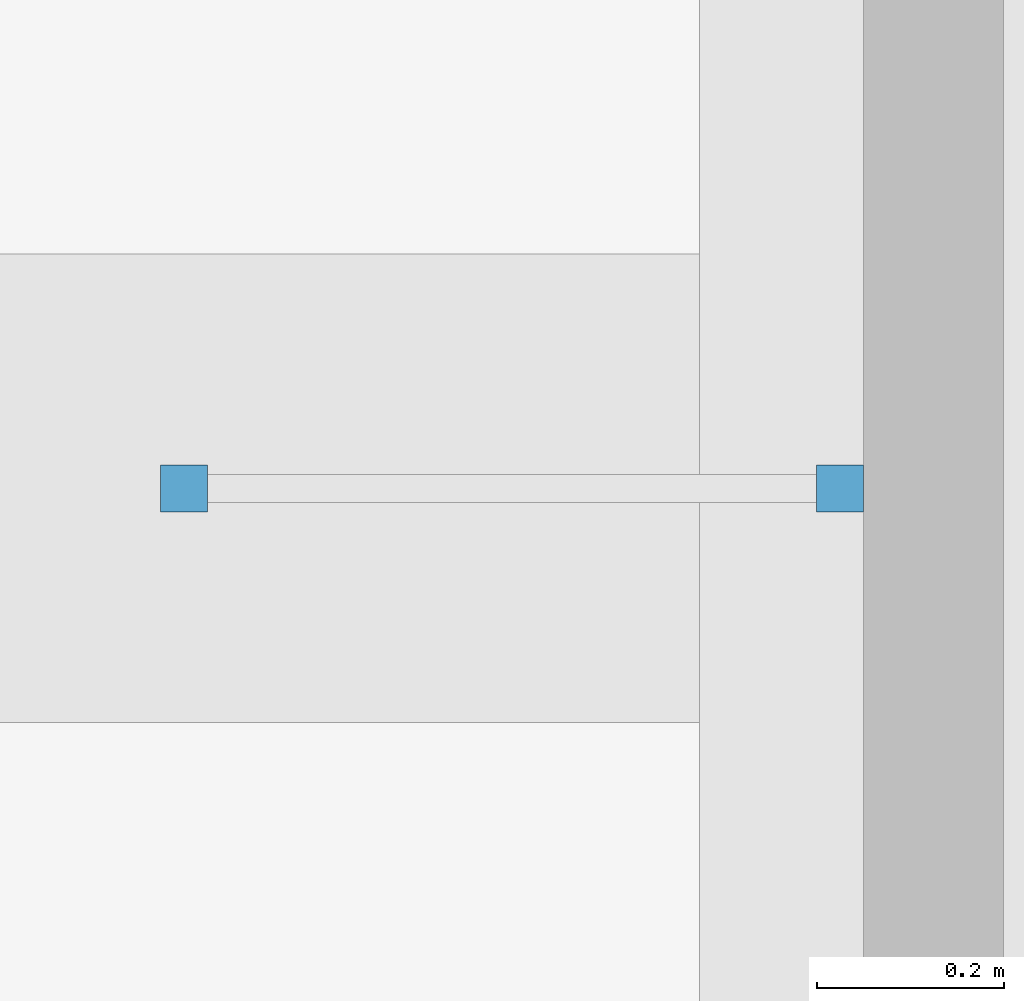
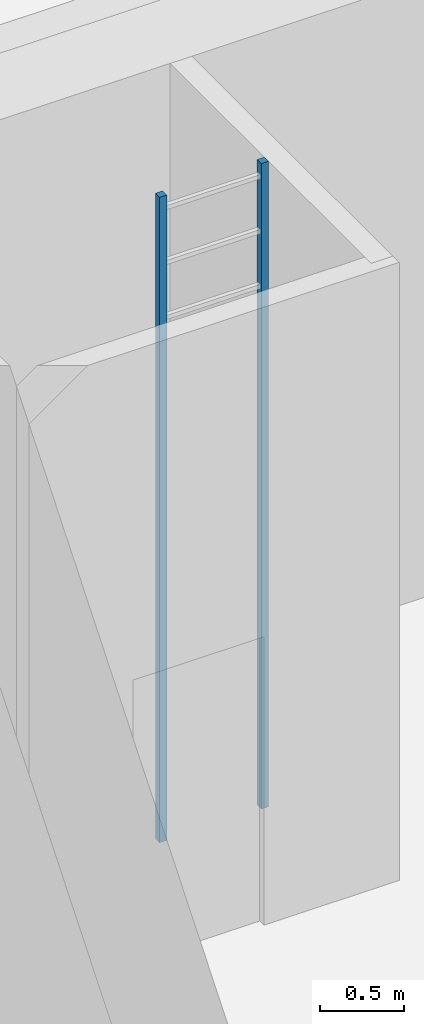
# One storey, part 9 of 42: 2 members.
"""IFC4 building model written with IfcOpenShell, lengths in metres."""

from ifc_helpers import new_model, si_unit, direction, frame, origin, origin_2d, place, context, subcontext, project, spatial, rectangle, extrude, material, material_profile, profile_set, type_object, element, save


model = new_model("IFC4")

# Units and contexts
model_context = context("Model", 3, precision=1e-05, world=origin(), true_north=direction((0.0, 1.0)))
body_context = subcontext(model_context, "Body", "Model", "MODEL_VIEW")
ifc_project = project(units=[si_unit("LENGTHUNIT", "METRE"), si_unit("AREAUNIT", "SQUARE_METRE"), si_unit("VOLUMEUNIT", "CUBIC_METRE"), si_unit("PLANEANGLEUNIT", "RADIAN"), si_unit("MASSUNIT", "GRAM", prefix="KILO")], contexts=[model_context])

# Site, building, storey
site_placement = place(None, origin())
site = spatial("IfcSite", under=ifc_project, at=site_placement, CompositionType="ELEMENT")
building_placement = place(site_placement, origin())
building = spatial("IfcBuilding", under=site, at=building_placement, Name="Dilmun Exchange Tower", CompositionType="ELEMENT")
storey_placement = place(building_placement, origin())
storey = spatial("IfcBuildingStorey", under=building, at=storey_placement, Name="L00", CompositionType="ELEMENT", Elevation=0.0)

# Members
ifc_material = material(Name="Steel S355", Category="steel")
ifc_material_profile = material_profile(ifc_material, rectangle(XDim=0.050048828125, YDim=0.050048828125, at=origin_2d()), Name="50 x 50")
ifc_profile_set = profile_set([ifc_material_profile], Name="Steel S355")
member_type = type_object("IfcMemberType", Name="School roof ladder rail 50", PredefinedType="USERDEFINED", material=ifc_profile_set)
for number, where, z_axis, x_axis, name in (
    (1, (5.60791015625, -37.89990234375, -0.199951171875), (0.0, 0.0, 1.0), (1.0, 0.0, 0.0), "School roof ladder rail"),
    (2, (6.30810546875, -37.89990234375, -0.199951171875), (0.0, 0.0, 1.0), (1.0, 0.0, 0.0), "School roof ladder rail"),
):
    element("IfcMember", number, at=place(storey_placement, frame(where, z_axis=z_axis, x_axis=x_axis)), inside=storey, type_object=member_type, Name=name, ObjectType="LADDER", PredefinedType="USERDEFINED", context=body_context, shape_type="SweptSolid", body=[
        extrude(rectangle(XDim=0.050048828125, YDim=0.050048828125, at=origin_2d()), origin(), (0.0, 0.0, 1.0), 4.699951171875),
    ])

save(model, "model.ifc")
